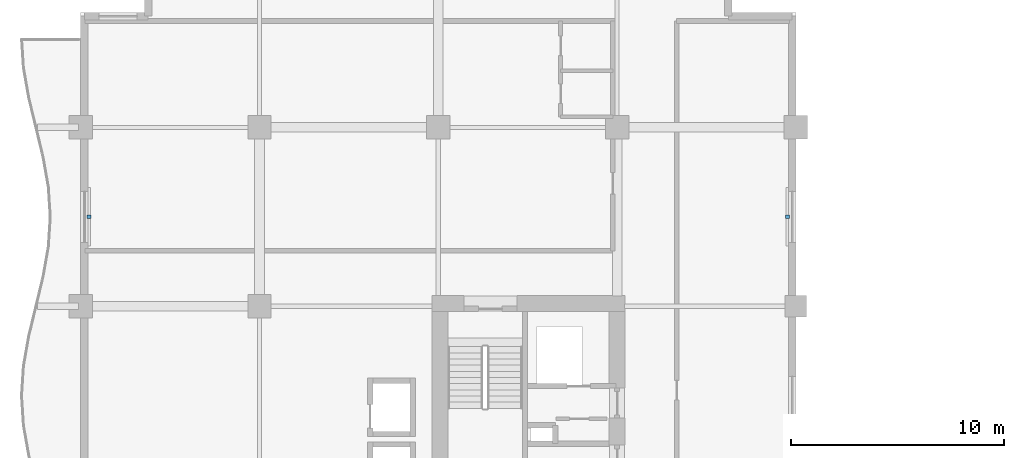
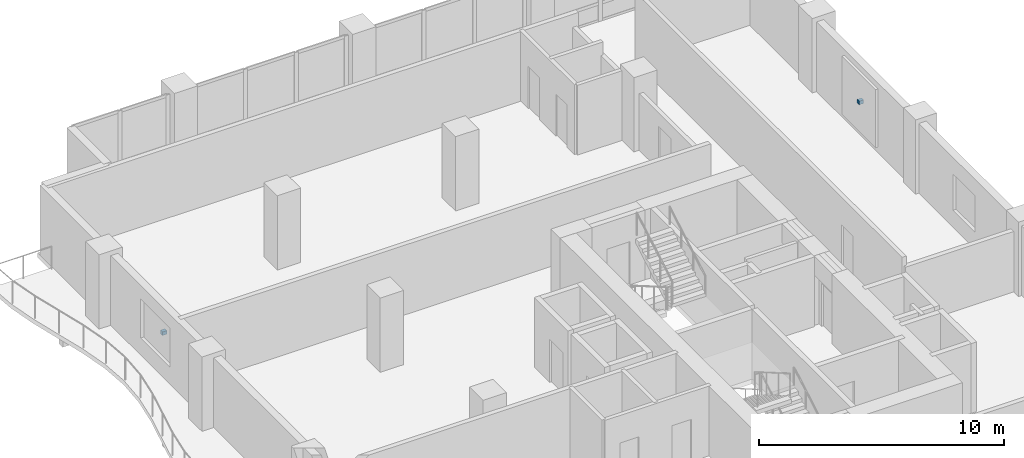
# One storey, part 16 of 20: 2 discrete accessories.
"""IFC4 building model written with IfcOpenShell, lengths in metres."""

from ifc_helpers import new_model, si_unit, direction, frame, origin, origin_2d, place, context, subcontext, project, spatial, rectangle, extrude, material, type_object, element, save


model = new_model("IFC4")

# Units and contexts
model_context = context("Model", 3, precision=1e-05, world=origin(), true_north=direction((0.0, 1.0)))
body_context = subcontext(model_context, "Body", "Model", "MODEL_VIEW")
ifc_project = project(units=[si_unit("LENGTHUNIT", "METRE"), si_unit("AREAUNIT", "SQUARE_METRE"), si_unit("VOLUMEUNIT", "CUBIC_METRE"), si_unit("PLANEANGLEUNIT", "RADIAN"), si_unit("MASSUNIT", "GRAM", prefix="KILO")], contexts=[model_context])

# Site, building, storey
site_placement = place(None, origin())
site = spatial("IfcSite", under=ifc_project, at=site_placement, CompositionType="ELEMENT")
building_placement = place(site_placement, origin())
building = spatial("IfcBuilding", under=site, at=building_placement, Name="Koriwani Terraces Tower", CompositionType="ELEMENT")
storey_placement = place(building_placement, frame((0.0, 0.0, 175.39990234375)))
storey = spatial("IfcBuildingStorey", under=building, at=storey_placement, Name="L42", CompositionType="ELEMENT", Elevation=175.39990234375)

# Discrete accessories
ifc_material = material(Name="Steel ASTM A572 Grade 50", Category="steel")
discrete_accessory_type = type_object("IfcDiscreteAccessoryType", Name="BAGUETTE_STANDOFF_BRACKET", PredefinedType="BRACKET", material=ifc_material)
for number, where, z_axis, x_axis, name in (
    (1, (0.389892578125, 63.0, 1.64501953125), (0.0, 0.0, 1.0), (0.0, 1.0, 0.0), "L42 Terracotta Baguette Bracket (W-21)"),
    (2, (33.2099609375, 63.0, 1.64501953125), (0.0, 0.0, 1.0), (0.0, -1.0, 0.0), "L42 Terracotta Baguette Bracket (NW_IN-11)"),
):
    element("IfcDiscreteAccessory", number, at=place(storey_placement, frame(where, z_axis=z_axis, x_axis=x_axis)), inside=storey, type_object=discrete_accessory_type, Name=name, PredefinedType="BRACKET", context=body_context, shape_type="SweptSolid", body=[
        extrude(rectangle(XDim=0.159912109375, YDim=0.199951171875, at=origin_2d()), origin(), (0.0, 0.0, 1.0), 0.179931640625),
    ])

save(model, "model.ifc")
